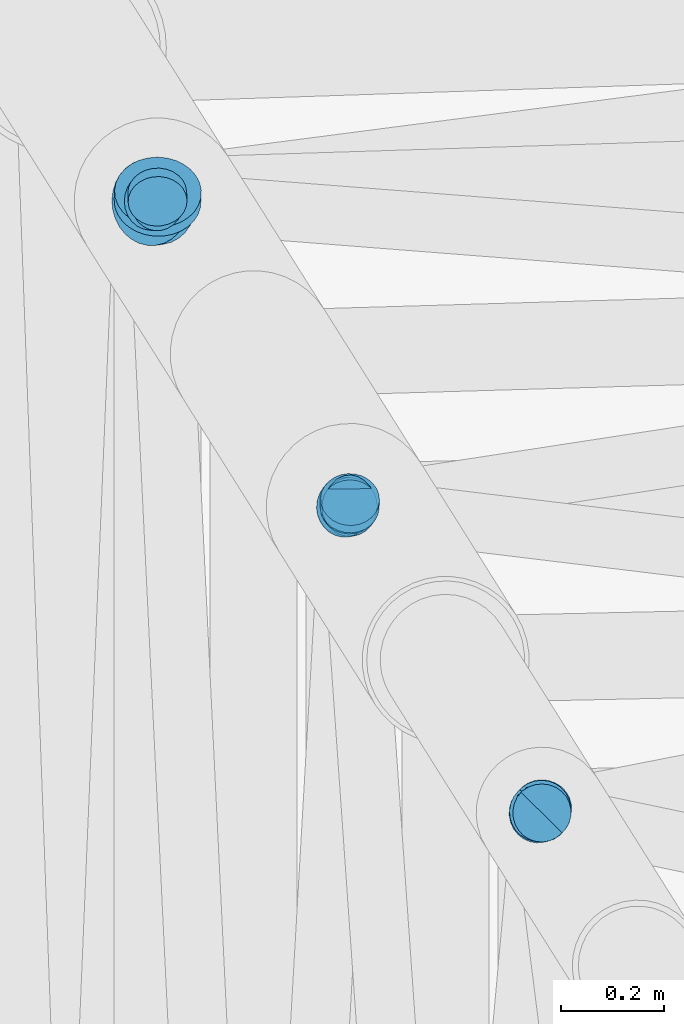
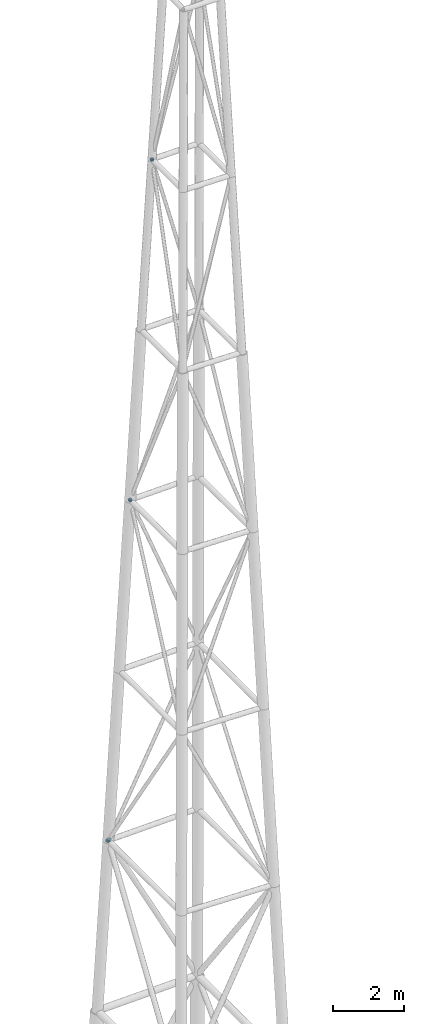
# One storey, part 7 of 10: 12 discrete accessories.
"""IFC4 building model written with IfcOpenShell, lengths in metres."""

from ifc_helpers import new_model, si_unit, direction, frame, origin, origin_2d, place, context, subcontext, project, spatial, circle, extrude, material, material_profile, profile_set, type_object, element, save


model = new_model("IFC4")

# Units and contexts
model_context = context("Model", 3, precision=1e-05, world=origin(), true_north=direction((0.0, 1.0)))
body_context = subcontext(model_context, "Body", "Model", "MODEL_VIEW")
ifc_project = project(units=[si_unit("LENGTHUNIT", "METRE"), si_unit("AREAUNIT", "SQUARE_METRE"), si_unit("VOLUMEUNIT", "CUBIC_METRE"), si_unit("PLANEANGLEUNIT", "RADIAN"), si_unit("MASSUNIT", "GRAM", prefix="KILO")], contexts=[model_context])

# Site, building, storey
site_placement = place(None, origin())
site = spatial("IfcSite", under=ifc_project, at=site_placement, CompositionType="ELEMENT")
building_placement = place(site_placement, origin())
building = spatial("IfcBuilding", under=site, at=building_placement, Name="Alderwake Tower", CompositionType="ELEMENT")
storey_placement = place(building_placement, frame((0.0, 0.0, 319.25)))
storey = spatial("IfcBuildingStorey", under=building, at=storey_placement, Name="Upper roof", CompositionType="ELEMENT", Elevation=319.25)

# Discrete accessories
ifc_material_1 = material(Name="Steel ASTM A572 Grade 50", Category="steel")
ifc_material_profile_1 = material_profile(ifc_material_1, circle(Radius=0.05712890625, at=origin_2d()), Name="HSS4.500X0.237 cap")
ifc_profile_set_1 = profile_set([ifc_material_profile_1], Name="Steel ASTM A572 Grade 50")
discrete_accessory_type_1 = type_object("IfcDiscreteAccessoryType", Name="End cap plate HSS4.500X0.237", PredefinedType="USERDEFINED", material=ifc_profile_set_1)
discrete_accessory_1_placement = place(storey_placement, frame((21.167724609375, 63.06689453125, 25.75), z_axis=(-0.423872355888, 0.040756957297, -0.904804451993), x_axis=(-0.095712406644, -0.9954090291, 0.0)))
element("IfcDiscreteAccessory", 1, at=discrete_accessory_1_placement, inside=storey, type_object=discrete_accessory_type_1, Name="End cap MD2.6 S", ObjectType="END CAP", PredefinedType="USERDEFINED", context=body_context, shape_type="SweptSolid", body=[
    extrude(circle(Radius=0.05712890625, at=origin_2d()), origin(), (0.0, 0.0, 1.0), 0.030029296875),
])
discrete_accessory_2_placement = place(storey_placement, frame((21.167724609375, 63.06689453125, 25.75), z_axis=(-0.024242473712, 0.541415246232, -0.840405755345), x_axis=(-0.998999054412, -0.044731300944, 0.0)))
element("IfcDiscreteAccessory", 2, at=discrete_accessory_2_placement, inside=storey, type_object=discrete_accessory_type_1, Name="End cap MD3.6 S", ObjectType="END CAP", PredefinedType="USERDEFINED", context=body_context, shape_type="SweptSolid", body=[
    extrude(circle(Radius=0.05712890625, at=origin_2d()), origin(), (0.0, 0.0, 1.0), 0.0302734375),
])
for number, where, z_axis, x_axis, name in (
    (3, (21.5400390625, 62.474609375, 37.75), (-0.373588851597, -0.056850477417, 0.925850632219), (0.150441996986, -0.98861883734, 0.0), "End cap MD2.7 N"),
    (4, (21.5400390625, 62.474609375, 37.75), (0.024464742829, 0.472985028025, 0.88073074184), (-0.998664984942, 0.051655085428, 0.0), "End cap MD3.7 N"),
    (5, (21.5400390625, 62.474609375, 37.75), (-0.333069254596, 0.032494561424, -0.942342281297), (-0.097099964285, -0.995274633926, 0.0), "End cap MD2.8 S"),
):
    element("IfcDiscreteAccessory", number, at=place(storey_placement, frame(where, z_axis=z_axis, x_axis=x_axis)), inside=storey, type_object=discrete_accessory_type_1, Name=name, ObjectType="END CAP", PredefinedType="USERDEFINED", context=body_context, shape_type="SweptSolid", body=[
        extrude(circle(Radius=0.05712890625, at=origin_2d()), origin(), (0.0, 0.0, 1.0), 0.030029296875),
    ])
discrete_accessory_3_placement = place(storey_placement, frame((21.5400390625, 62.474609375, 37.75), z_axis=(-0.032702404032, 0.40060444939, -0.915667312892), x_axis=(-0.996684615823, -0.081362009455, 0.0)))
element("IfcDiscreteAccessory", 6, at=discrete_accessory_3_placement, inside=storey, type_object=discrete_accessory_type_1, Name="End cap MD3.8 S", ObjectType="END CAP", PredefinedType="USERDEFINED", context=body_context, shape_type="SweptSolid", body=[
    extrude(circle(Radius=0.05712890625, at=origin_2d()), origin(), (0.0, 0.0, 1.0), 0.02978515625),
])
discrete_accessory_4_placement = place(storey_placement, frame((21.912109375, 61.882080078125, 49.75), z_axis=(-0.276422764228, -0.056910569106, 0.959349593496), x_axis=(0.20165292067, -0.979457043257, 0.0)))
element("IfcDiscreteAccessory", 7, at=discrete_accessory_4_placement, inside=storey, type_object=discrete_accessory_type_1, Name="End cap MD2.9 N", ObjectType="END CAP", PredefinedType="USERDEFINED", context=body_context, shape_type="SweptSolid", body=[
    extrude(circle(Radius=0.05712890625, at=origin_2d()), origin(), (0.0, 0.0, 1.0), 0.030029296875),
])
discrete_accessory_5_placement = place(storey_placement, frame((21.912109375, 61.882080078125, 49.75), z_axis=(0.03266748654, 0.318507993766, 0.947357109664), x_axis=(-0.994781438611, 0.102028865499, 0.0)))
element("IfcDiscreteAccessory", 8, at=discrete_accessory_5_placement, inside=storey, type_object=discrete_accessory_type_1, Name="End cap MD3.9 N", ObjectType="END CAP", PredefinedType="USERDEFINED", context=body_context, shape_type="SweptSolid", body=[
    extrude(circle(Radius=0.05712890625, at=origin_2d()), origin(), (0.0, 0.0, 1.0), 0.02978515625),
])
for number, where, z_axis, x_axis, name in (
    (9, (21.912109375, 61.882080078125, 49.75), (-0.219331052516, 0.040616861577, -0.97480467785), (-0.182089260182, -0.983282004984, 0.0), "End cap MD2.10 S"),
    (10, (21.912109375, 61.882080078125, 49.75), (-0.024485920902, 0.236697235388, -0.971274862455), (-0.994691793827, -0.102899151086, 0.0), "End cap MD3.10 S"),
):
    element("IfcDiscreteAccessory", number, at=place(storey_placement, frame(where, z_axis=z_axis, x_axis=x_axis)), inside=storey, type_object=discrete_accessory_type_1, Name=name, ObjectType="END CAP", PredefinedType="USERDEFINED", context=body_context, shape_type="SweptSolid", body=[
        extrude(circle(Radius=0.05712890625, at=origin_2d()), origin(), (0.0, 0.0, 1.0), 0.030029296875),
    ])
ifc_material_2 = material(Name="Steel ASTM A572 Grade 50", Category="steel")
ifc_material_profile_2 = material_profile(ifc_material_2, circle(Radius=0.084228515625, at=origin_2d()), Name="HSS6.625X0.280 cap")
ifc_profile_set_2 = profile_set([ifc_material_profile_2], Name="Steel ASTM A572 Grade 50")
discrete_accessory_type_2 = type_object("IfcDiscreteAccessoryType", Name="End cap plate HSS6.625X0.280", PredefinedType="USERDEFINED", material=ifc_profile_set_2)
for number, where, z_axis, x_axis, name in (
    (11, (21.167724609375, 63.06689453125, 25.75), (-0.462650754957, -0.056816759381, 0.884718110356), (0.121891301525, -0.992543455277, 0.0), "End cap MD2.5 N"),
    (12, (21.167724609375, 63.06689453125, 25.75), (0.024382187137, 0.593299887012, 0.804612175537), (-0.999156632001, 0.041061231452, 0.0), "End cap MD3.5 N"),
):
    element("IfcDiscreteAccessory", number, at=place(storey_placement, frame(where, z_axis=z_axis, x_axis=x_axis)), inside=storey, type_object=discrete_accessory_type_2, Name=name, ObjectType="END CAP", PredefinedType="USERDEFINED", context=body_context, shape_type="SweptSolid", body=[
        extrude(circle(Radius=0.084228515625, at=origin_2d()), origin(), (0.0, 0.0, 1.0), 0.030029296875),
    ])

save(model, "model.ifc")
